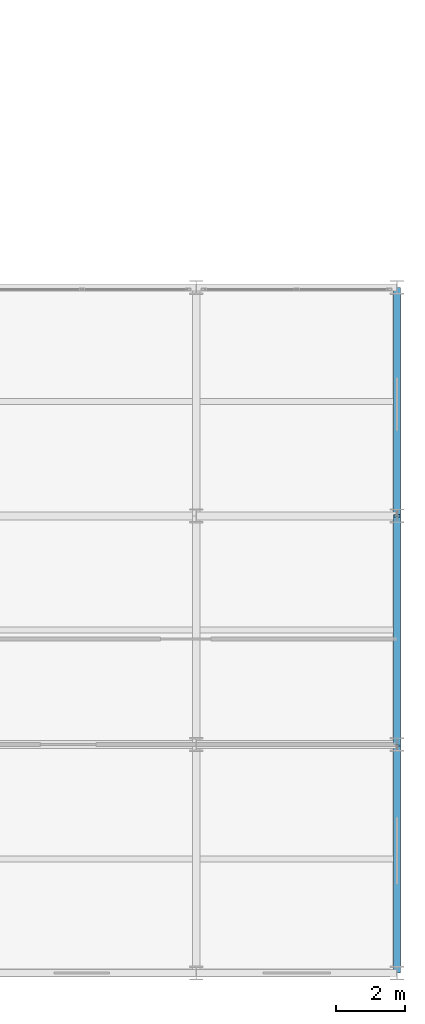
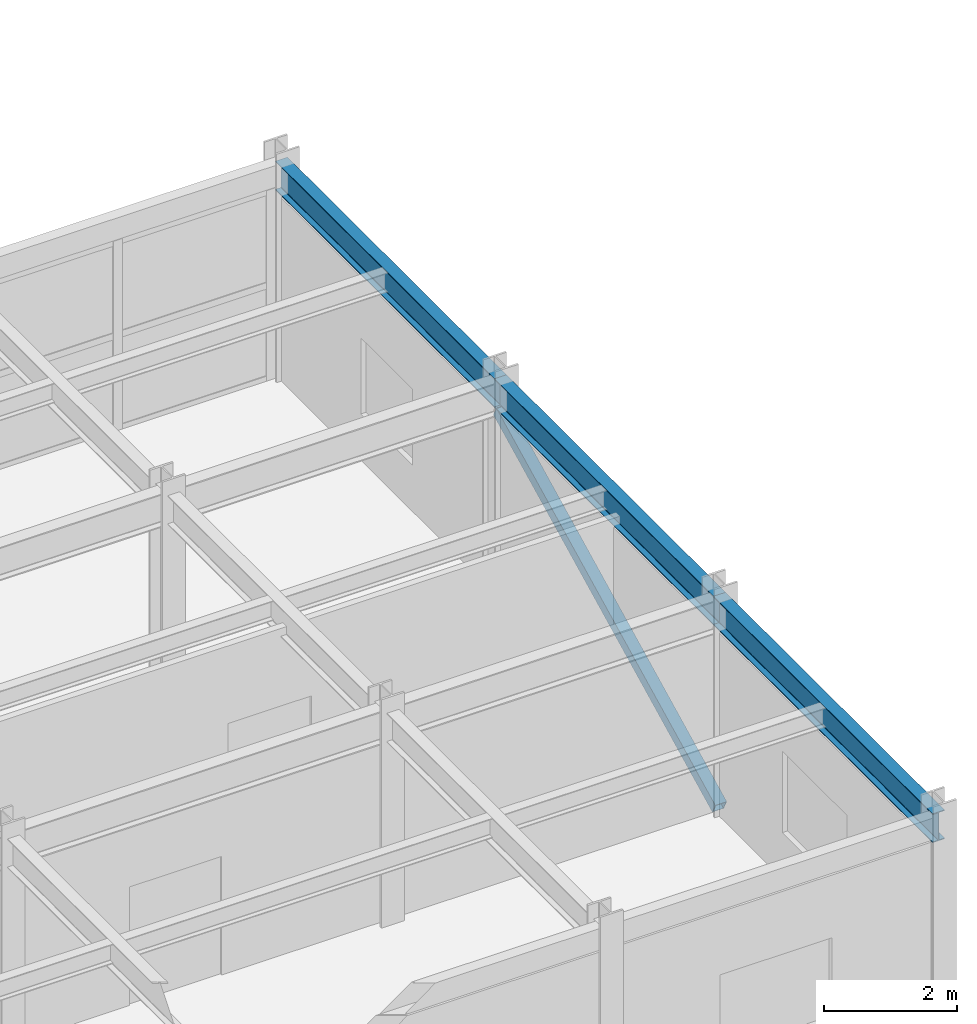
# One storey, part 108 of 157: 3 beams, 1 member.
"""IFC4 building model written with IfcOpenShell, lengths in metres."""

import ifcopenshell
import ifcopenshell.guid

model = None  # the IFC model being written
_history = None  # IfcOwnerHistory: only IFC2X3 demands one
_inside = {}  # id of a spatial element -> (the spatial element, [elements in it])
_under = {}  # id of a project, library or spatial element -> (it, [spatial elements below it])
_declared = {}  # id of a project -> (the project, [libraries it declares])
_typed = {}  # id of a type object -> (the type object, [elements of that type])
_made_of = {}  # id of a material, layer set ... -> (it, [elements and type objects made of it])


def new_model(schema):
    """Start an empty IFC model of exactly this schema.

    Asked for "IFC4X3", IfcOpenShell would pick the latest addendum, in which some entities
    have other attributes; the version numbers below select the first issue.
    IFC2X3 requires an IfcOwnerHistory on every rooted entity: one is made here for all.
    """
    global model, _history
    if schema == "IFC4X3":
        model = ifcopenshell.file(schema_version=(4, 3, 0, 0))
    else:
        model = ifcopenshell.file(schema=schema)
    _inside.clear()
    _under.clear()
    _declared.clear()
    _typed.clear()
    _made_of.clear()
    _history = None
    if model.schema == "IFC2X3":
        org = make("IfcOrganization", Name="unknown")
        user = make(
            "IfcPersonAndOrganization",
            ThePerson=make("IfcPerson", FamilyName="unknown"),
            TheOrganization=org,
        )
        app = make(
            "IfcApplication",
            ApplicationDeveloper=org,
            Version="unknown",
            ApplicationFullName="unknown",
            ApplicationIdentifier="unknown",
        )
        _history = make(
            "IfcOwnerHistory",
            OwningUser=user,
            OwningApplication=app,
            ChangeAction="ADDED",
            CreationDate=0,
        )
    return model


def make(cls, **values):
    """One entity of the class cls with the attributes given. An attribute that is None is left unset."""
    return model.create_entity(
        cls, **{name: value for name, value in values.items() if value is not None}
    )


def rooted(cls, **values):
    """An entity with a GlobalId (a new one), such as an element, a storey or a relation."""
    return make(cls, GlobalId=ifcopenshell.guid.new(), OwnerHistory=_history, **values)


def si_unit(unit_type, name, prefix=None):
    """IfcSIUnit, for example si_unit("LENGTHUNIT", "METRE", prefix="MILLI")."""
    return make("IfcSIUnit", UnitType=unit_type, Prefix=prefix, Name=name)


def assignment(units):
    """IfcUnitAssignment: the units of a project."""
    return None if units is None else make("IfcUnitAssignment", Units=units)


def point(xyz):
    """IfcCartesianPoint."""
    return None if xyz is None else make("IfcCartesianPoint", Coordinates=xyz)


def direction(xyz):
    """IfcDirection."""
    return None if xyz is None else make("IfcDirection", DirectionRatios=xyz)


def frame(location, z_axis=None, x_axis=None):
    """IfcAxis2Placement3D, a coordinate frame: its origin and axes. An axis left out is left unset."""
    return make(
        "IfcAxis2Placement3D",
        Location=point(location),
        Axis=direction(z_axis),
        RefDirection=direction(x_axis),
    )


def frame_2d(location, x_axis=None):
    """IfcAxis2Placement2D, a coordinate frame in the plane: its origin and x axis."""
    return make(
        "IfcAxis2Placement2D", Location=point(location), RefDirection=direction(x_axis)
    )


def origin():
    """The frame at (0, 0, 0) with its axes left unset."""
    return frame((0.0, 0.0, 0.0))


def origin_2d():
    """The frame at (0, 0) in the plane with its x axis left unset."""
    return frame_2d((0.0, 0.0))


def place(relative_to, where):
    """IfcLocalPlacement: puts the frame where relative to a parent placement (None: the world)."""
    return make(
        "IfcLocalPlacement", PlacementRelTo=relative_to, RelativePlacement=where
    )


def context(
    kind, dimensions, precision=None, world=None, true_north=None, identifier=None
):
    """IfcGeometricRepresentationContext, for example the 3D "Model" context."""
    return make(
        "IfcGeometricRepresentationContext",
        ContextIdentifier=identifier,
        ContextType=kind,
        CoordinateSpaceDimension=dimensions,
        Precision=precision,
        WorldCoordinateSystem=world,
        TrueNorth=true_north,
    )


def subcontext(parent, identifier, kind, view, scale=None):
    """IfcGeometricRepresentationSubContext, for example "Body" below "Model"."""
    return make(
        "IfcGeometricRepresentationSubContext",
        ContextIdentifier=identifier,
        ContextType=kind,
        ParentContext=parent,
        TargetScale=scale,
        TargetView=view,
    )


def project(units=None, contexts=None):
    """IfcProject with its units and contexts."""
    return rooted(
        "IfcProject",
        Name="project",
        RepresentationContexts=contexts,
        UnitsInContext=assignment(units),
    )


def spatial(cls, under=None, at=None, **own):
    """A site, building, storey or space (cls), placed at a placement, below another one or the project."""
    s = rooted(cls, ObjectPlacement=at, **own)
    if under is not None:
        _under.setdefault(under.id(), (under, []))[1].append(s)
    return s


def profile(cls, at=None, kind="AREA", **sizes):
    """A parametric profile (cls). Its sizes go by their IFC names, for example OverallWidth=200.0."""
    return make(cls, ProfileType=kind, Position=at, **sizes)


def hollow_rectangle(**sizes):
    """IfcRectangleHollowProfileDef."""
    return profile("IfcRectangleHollowProfileDef", **sizes)


def i_section(**sizes):
    """IfcIShapeProfileDef."""
    return profile("IfcIShapeProfileDef", **sizes)


def extrude(swept, where, along, depth):
    """IfcExtrudedAreaSolid: the profile swept, set in the frame where, extruded along a direction by depth."""
    return make(
        "IfcExtrudedAreaSolid",
        SweptArea=swept,
        Position=where,
        ExtrudedDirection=direction(along),
        Depth=depth,
    )


def shape(context_of_items, identifier, shape_type, items):
    """IfcShapeRepresentation: the items that make up one representation, for example the "Body"."""
    return make(
        "IfcShapeRepresentation",
        ContextOfItems=context_of_items,
        RepresentationIdentifier=identifier,
        RepresentationType=shape_type,
        Items=items,
    )


def material(Name=None, Category=None):
    """IfcMaterial."""
    return make("IfcMaterial", Name=Name, Category=Category)


def material_profile(
    of_material, cross_section, Name=None, Category=None, Priority=None
):
    """IfcMaterialProfile: a cross section and its material."""
    return make(
        "IfcMaterialProfile",
        Name=Name,
        Material=of_material,
        Profile=cross_section,
        Priority=Priority,
        Category=Category,
    )


def profile_set(profiles, Name=None, composite=None):
    """IfcMaterialProfileSet."""
    return make(
        "IfcMaterialProfileSet",
        Name=Name,
        MaterialProfiles=profiles,
        CompositeProfile=composite,
    )


def made_of(thing, what):
    """Note that an element or type object is made of a material, layer set ...; save() writes the relation."""
    if what is not None:
        _made_of.setdefault(what.id(), (what, []))[1].append(thing)
    return thing


def type_object(cls, material=None, **own):
    """A type object (cls), such as IfcWallType, which elements share."""
    return made_of(rooted(cls, **own), material)


def element(
    cls,
    number,
    at=None,
    inside=None,
    cuts=None,
    type_object=None,
    material=None,
    context=None,
    identifier="Body",
    shape_type=None,
    held_by="IfcProductDefinitionShape",
    body=None,
    shapes=None,
    **own,
):
    """One element of the class cls, such as IfcWall. Its Tag is "e" and its number.

    at: its placement. inside: the storey or other place that contains it. cuts: it is an
    opening in that element (IfcRelVoidsElement). A single representation is given by context,
    identifier, shape_type and body (its items); several are given by shapes. held_by: the class
    of the entity that holds the representations. save() writes the other relations.
    """
    e = rooted(cls, Tag="e%d" % number, ObjectPlacement=at, **own)
    if body is not None:
        shapes = [shape(context, identifier, shape_type, body)]
    if shapes is not None:
        e.Representation = make(held_by, Representations=shapes)
    if inside is not None:
        _inside.setdefault(inside.id(), (inside, []))[1].append(e)
    if cuts is not None:
        rooted(
            "IfcRelVoidsElement", RelatingBuildingElement=cuts, RelatedOpeningElement=e
        )
    if type_object is not None:
        _typed.setdefault(type_object.id(), (type_object, []))[1].append(e)
    return made_of(e, material)


def aggregate(whole, parts):
    """IfcRelAggregates: a whole, such as a stair, and the parts it consists of."""
    return rooted("IfcRelAggregates", RelatingObject=whole, RelatedObjects=parts)


def save(model, path):
    """Write the relations noted so far, then the file.

    IfcRelAggregates (storeys below a building ...), IfcRelContainedInSpatialStructure (elements
    in a storey), IfcRelDefinesByType, IfcRelAssociatesMaterial and IfcRelDeclares: one each for
    every whole, place, type object, material and project.
    """
    for whole, parts in _under.values():
        aggregate(whole, parts)
    for where, things in _inside.values():
        rooted(
            "IfcRelContainedInSpatialStructure",
            RelatedElements=things,
            RelatingStructure=where,
        )
    for kind, things in _typed.values():
        rooted("IfcRelDefinesByType", RelatedObjects=things, RelatingType=kind)
    for what, things in _made_of.values():
        rooted("IfcRelAssociatesMaterial", RelatedObjects=things, RelatingMaterial=what)
    for by, libraries in _declared.values():
        rooted("IfcRelDeclares", RelatingContext=by, RelatedDefinitions=libraries)
    model.write(path)


model = new_model("IFC4")

# Units and contexts
model_context = context("Model", 3, precision=1e-05, world=origin(), true_north=direction((0.0, 1.0)))
body_context = subcontext(model_context, "Body", "Model", "MODEL_VIEW")
ifc_project = project(units=[si_unit("LENGTHUNIT", "METRE"), si_unit("AREAUNIT", "SQUARE_METRE"), si_unit("VOLUMEUNIT", "CUBIC_METRE"), si_unit("PLANEANGLEUNIT", "RADIAN"), si_unit("MASSUNIT", "GRAM", prefix="KILO")], contexts=[model_context])

# Site, building, storey
site_placement = place(None, origin())
site = spatial("IfcSite", under=ifc_project, at=site_placement, CompositionType="ELEMENT")
building_placement = place(site_placement, origin())
building = spatial("IfcBuilding", under=site, at=building_placement, Name="Karori Crest Natural Sciences Institute", CompositionType="ELEMENT")
storey_placement = place(building_placement, frame((0.0, 0.0, 13.300048828125)))
storey = spatial("IfcBuildingStorey", under=building, at=storey_placement, Name="L03", CompositionType="ELEMENT", Elevation=13.300048828125)

# Beams
ifc_material_1 = material(Name="Structural steel AS/NZS 3679.1 Grade 350", Category="steel")
ifc_material_profile_1 = material_profile(ifc_material_1, i_section(OverallWidth=0.208984375, OverallDepth=0.532958984375, WebThickness=0.01025390625, FlangeThickness=0.015625, FilletRadius=0.013916015625, at=origin_2d()), Name="530UB92.4")
ifc_profile_set_1 = profile_set([ifc_material_profile_1], Name="Structural steel AS/NZS 3679.1 Grade 350")
beam_type = type_object("IfcBeamType", Name="BT-05-EL", PredefinedType="BEAM", material=ifc_profile_set_1)
beam_placement = place(storey_placement, frame((162.199951171875, 0.800048828125, 3.653564453125), z_axis=(0.0, 1.0, 0.0), x_axis=(-1.0, 0.0, 0.0)))
element("IfcBeam", 1, at=beam_placement, inside=storey, type_object=beam_type, Name="Beam B-2342", PredefinedType="BEAM", context=body_context, shape_type="SweptSolid", body=[
    extrude(i_section(OverallWidth=0.208984375, OverallDepth=0.532958984375, WebThickness=0.01025390625, FlangeThickness=0.015625, FilletRadius=0.013916015625, at=origin_2d()), origin(), (0.0, 0.0, 1.0), 6.599853515625),
])
for number, where, z_axis, x_axis, name in (
    (2, (162.199951171875, 7.39990234375, 3.653564453125), (0.0, 1.0, 0.0), (-1.0, 0.0, 0.0), "Beam B-2343"),
    (3, (162.199951171875, 14.0, 3.653564453125), (0.0, 1.0, 0.0), (-1.0, 0.0, 0.0), "Beam B-2344"),
):
    element("IfcBeam", number, at=place(storey_placement, frame(where, z_axis=z_axis, x_axis=x_axis)), inside=storey, type_object=beam_type, Name=name, PredefinedType="BEAM", context=body_context, shape_type="SweptSolid", body=[
        extrude(i_section(OverallWidth=0.208984375, OverallDepth=0.532958984375, WebThickness=0.01025390625, FlangeThickness=0.015625, FilletRadius=0.013916015625, at=origin_2d()), origin(), (0.0, 0.0, 1.0), 6.60009765625),
    ])

# Member
ifc_material_2 = material(Name="Hollow structural steel AS/NZS 1163 Grade C350", Category="steel")
ifc_material_profile_2 = material_profile(ifc_material_2, hollow_rectangle(XDim=0.199951171875, YDim=0.199951171875, WallThickness=0.010009765625, at=origin_2d()), Name="SHS200x200x10")
ifc_profile_set_2 = profile_set([ifc_material_profile_2], Name="Hollow structural steel AS/NZS 1163 Grade C350")
member_type = type_object("IfcMemberType", Name="MT-04", PredefinedType="BRACE", material=ifc_profile_set_2)
member_placement = place(storey_placement, frame((162.199951171875, 7.39990234375, 0.010009765625), z_axis=(0.0, 0.894003499504, 0.448059976873), x_axis=(-1.0, 0.0, 0.0)))
element("IfcMember", 4, at=member_placement, inside=storey, type_object=member_type, Name="Diagonal Brace M-0446", PredefinedType="BRACE", context=body_context, shape_type="SweptSolid", body=[
    extrude(hollow_rectangle(XDim=0.199951171875, YDim=0.199951171875, WallThickness=0.010009765625, at=origin_2d()), origin(), (0.0, 0.0, 1.0), 7.382568359375),
])

save(model, "model.ifc")
